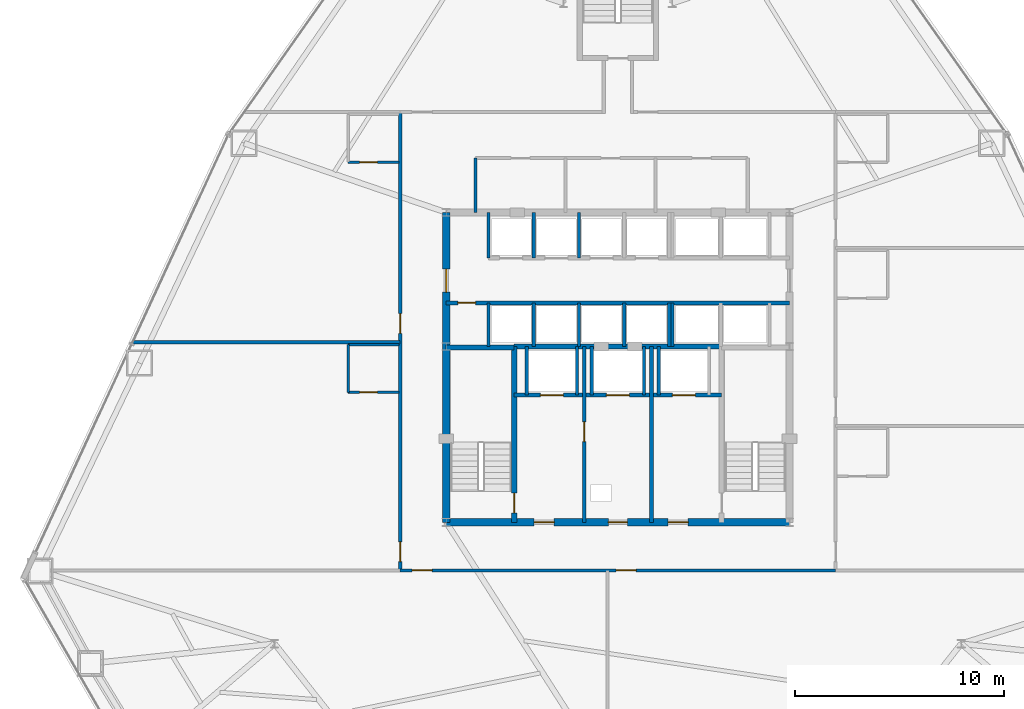
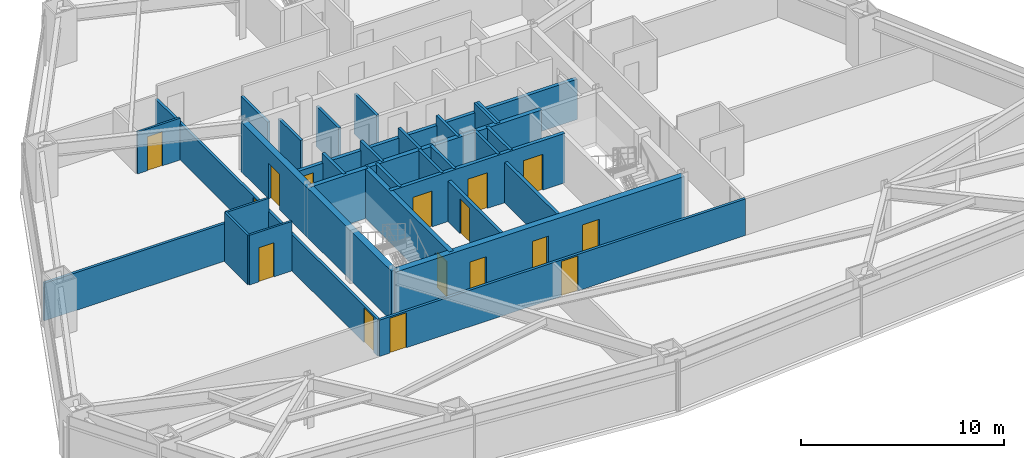
# One storey, part 9 of 12: 31 walls, 16 doors, 16 openings.
"""IFC4 building model written with IfcOpenShell, lengths in metres."""

from ifc_helpers import new_model, si_unit, direction, frame, frame_2d, origin, place, context, subcontext, project, spatial, rectangle, extrude, material, layer, layer_set, type_object, element, fill, save


model = new_model("IFC4")

# Units and contexts
model_context = context("Model", 3, precision=1e-05, world=origin(), true_north=direction((0.0, 1.0)))
body_context = subcontext(model_context, "Body", "Model", "MODEL_VIEW")
ifc_project = project(units=[si_unit("LENGTHUNIT", "METRE"), si_unit("AREAUNIT", "SQUARE_METRE"), si_unit("VOLUMEUNIT", "CUBIC_METRE"), si_unit("PLANEANGLEUNIT", "RADIAN"), si_unit("MASSUNIT", "GRAM", prefix="KILO")], contexts=[model_context])

# Site, building, storey
site_placement = place(None, origin())
site = spatial("IfcSite", under=ifc_project, at=site_placement, CompositionType="ELEMENT")
building_placement = place(site_placement, origin())
building = spatial("IfcBuilding", under=site, at=building_placement, Name="Varakhsha Concourse Tower", CompositionType="ELEMENT")
storey_placement = place(building_placement, frame((0.0, 0.0, 43.199951171875)))
storey = spatial("IfcBuildingStorey", under=building, at=storey_placement, Name="L11", CompositionType="ELEMENT", Elevation=43.199951171875)

# Wall, openings, doors
ifc_material_1 = material(Name="Concrete fc 65 MPa", Category="concrete")
ifc_layer_1 = layer(ifc_material_1, 0.35009765625, Name="WL-CORE-350")
ifc_layer_set_1 = layer_set([ifc_layer_1], Name="Concrete fc 65 MPa")
wall_type_1 = type_object("IfcWallType", Name="WL-CORE-350", PredefinedType="SHEAR", material=ifc_layer_set_1)
wall_1_placement = place(storey_placement, frame((31.800048828125, 16.39990234375, 0.0), z_axis=(0.0, 0.0, 1.0), x_axis=(1.0, 0.0, 0.0)))
wall_1 = element("IfcWall", 1, at=wall_1_placement, inside=storey, type_object=wall_type_1, Name="L11 Wall CWALL-S-L11", PredefinedType="SHEAR", context=body_context, shape_type="SweptSolid", body=[
    extrude(rectangle(XDim=16.39990234375, YDim=0.35009765625, at=frame_2d((8.199951171875, 0.0))), origin(), (0.0, 0.0, 1.0), 2.97998046875),
])
opening_1_placement = place(wall_1_placement, frame((7.75, 0.0, 0.0)))
opening_1 = element("IfcOpeningElement", 2, at=opening_1_placement, cuts=wall_1, Name="Opening DF-06", PredefinedType="OPENING", context=body_context, shape_type="SweptSolid", body=[
    extrude(rectangle(XDim=0.89990234375, YDim=2.10009765625, at=frame_2d((0.449951171875, 1.050048828125))), frame((0.0, 0.18505859375, 0.0), z_axis=(0.0, -1.0, 0.0), x_axis=(1.0, 0.0, 0.0)), (0.0, 0.0, 1.0), 0.3701171875),
])
opening_2_placement = place(wall_1_placement, frame((4.199951171875, 0.0, 0.0)))
opening_2 = element("IfcOpeningElement", 3, at=opening_2_placement, cuts=wall_1, Name="Opening DF-05", PredefinedType="OPENING", context=body_context, shape_type="SweptSolid", body=[
    extrude(rectangle(XDim=0.949951171875, YDim=2.10009765625, at=frame_2d((0.47509765625, 1.050048828125))), frame((0.0, 0.18505859375, 0.0), z_axis=(0.0, -1.0, 0.0), x_axis=(1.0, 0.0, 0.0)), (0.0, 0.0, 1.0), 0.3701171875),
])
opening_3_placement = place(wall_1_placement, frame((10.60009765625, 0.0, 0.0)))
opening_3 = element("IfcOpeningElement", 4, at=opening_3_placement, cuts=wall_1, Name="Opening DF-05", PredefinedType="OPENING", context=body_context, shape_type="SweptSolid", body=[
    extrude(rectangle(XDim=0.949951171875, YDim=2.10009765625, at=frame_2d((0.47509765625, 1.050048828125))), frame((0.0, 0.18505859375, 0.0), z_axis=(0.0, -1.0, 0.0), x_axis=(1.0, 0.0, 0.0)), (0.0, 0.0, 1.0), 0.3701171875),
])
ifc_material_2 = material(Name="Hollow Galvanised Steel Fire Door Assembly", Category="steel")
door_type_1 = type_object("IfcDoorType", Name="DR-FD60-900", OperationType="NOTDEFINED", PredefinedType="DOOR", material=ifc_material_2)
door_1_placement = place(opening_1_placement, origin())
door_1 = element("IfcDoor", 5, at=door_1_placement, inside=storey, type_object=door_type_1, Name="L11 Service Riser Vestibule Door", OperationType="SINGLE_SWING_LEFT", OverallHeight=2.10009765625, OverallWidth=0.89990234375, PredefinedType="DOOR", context=body_context, shape_type="SweptSolid", body=[
    extrude(rectangle(XDim=0.89990234375, YDim=2.10009765625, at=frame_2d((0.449951171875, 1.050048828125))), frame((0.0, 0.02490234375, 0.0), z_axis=(0.0, -1.0, 0.0), x_axis=(1.0, 0.0, 0.0)), (0.0, 0.0, 1.0), 0.050048828125),
])
fill(opening_1, door_1)
door_type_2 = type_object("IfcDoorType", Name="DR-FD60-950", OperationType="NOTDEFINED", PredefinedType="DOOR", material=ifc_material_2)
door_2_placement = place(opening_2_placement, origin())
door_2 = element("IfcDoor", 6, at=door_2_placement, inside=storey, type_object=door_type_2, Name="L11 Firefighting Lobby West Door", OperationType="SINGLE_SWING_RIGHT", OverallHeight=2.10009765625, OverallWidth=0.949951171875, PredefinedType="DOOR", context=body_context, shape_type="SweptSolid", body=[
    extrude(rectangle(XDim=0.949951171875, YDim=2.10009765625, at=frame_2d((0.47509765625, 1.050048828125))), frame((0.0, 0.02490234375, 0.0), z_axis=(0.0, -1.0, 0.0), x_axis=(1.0, 0.0, 0.0)), (0.0, 0.0, 1.0), 0.050048828125),
])
fill(opening_2, door_2)
door_3_placement = place(opening_3_placement, origin())
door_3 = element("IfcDoor", 7, at=door_3_placement, inside=storey, type_object=door_type_2, Name="L11 Firefighting Lobby East Door", OperationType="SINGLE_SWING_LEFT", OverallHeight=2.10009765625, OverallWidth=0.949951171875, PredefinedType="DOOR", context=body_context, shape_type="SweptSolid", body=[
    extrude(rectangle(XDim=0.949951171875, YDim=2.10009765625, at=frame_2d((0.47509765625, 1.050048828125))), frame((0.0, 0.02490234375, 0.0), z_axis=(0.0, -1.0, 0.0), x_axis=(1.0, 0.0, 0.0)), (0.0, 0.0, 1.0), 0.050048828125),
])
fill(opening_3, door_3)

# Wall, opening, door
wall_2_placement = place(storey_placement, frame((31.800048828125, 16.39990234375, 0.0), z_axis=(0.0, 0.0, 1.0), x_axis=(0.0, 1.0, 0.0)))
wall_2 = element("IfcWall", 8, at=wall_2_placement, inside=storey, type_object=wall_type_1, Name="L11 Wall CWALL-W-L11", PredefinedType="SHEAR", context=body_context, shape_type="SweptSolid", body=[
    extrude(rectangle(XDim=14.800048828125, YDim=0.35009765625, at=frame_2d((7.39990234375, 0.0))), origin(), (0.0, 0.0, 1.0), 2.97998046875),
])
opening_4_placement = place(wall_2_placement, frame((11.0, 0.0, 0.0)))
opening_4 = element("IfcOpeningElement", 9, at=opening_4_placement, cuts=wall_2, Name="Opening DL-01", PredefinedType="OPENING", context=body_context, shape_type="SweptSolid", body=[
    extrude(rectangle(XDim=1.10009765625, YDim=2.14990234375, at=frame_2d((0.550048828125, 1.074951171875))), frame((0.0, 0.18505859375, 0.0), z_axis=(0.0, -1.0, 0.0), x_axis=(1.0, 0.0, 0.0)), (0.0, 0.0, 1.0), 0.3701171875),
])
ifc_material_3 = material(Name="Anodised Bronze Architectural Aluminium AA 6063-T6", Category="aluminium")
door_type_3 = type_object("IfcDoorType", Name="DR-LOB-1100", OperationType="NOTDEFINED", PredefinedType="DOOR", material=ifc_material_3)
door_4_placement = place(opening_4_placement, origin())
door_4 = element("IfcDoor", 10, at=door_4_placement, inside=storey, type_object=door_type_3, Name="L11 Lift Lobby West Concourse Door", OperationType="SINGLE_SWING_LEFT", OverallHeight=2.14990234375, OverallWidth=1.10009765625, PredefinedType="DOOR", context=body_context, shape_type="SweptSolid", body=[
    extrude(rectangle(XDim=1.10009765625, YDim=2.14990234375, at=frame_2d((0.550048828125, 1.074951171875))), frame((0.0, 0.02490234375, 0.0), z_axis=(0.0, -1.0, 0.0), x_axis=(1.0, 0.0, 0.0)), (0.0, 0.0, 1.0), 0.050048828125),
])
fill(opening_4, door_4)

ifc_material_4 = material(Name="Fire-Rated Type X Gypsum Partition Assembly", Category="gypsum")
ifc_layer_2 = layer(ifc_material_4, 0.179931640625, Name="WL-FFLOB-180")
ifc_layer_set_2 = layer_set([ifc_layer_2], Name="Fire-Rated Type X Gypsum Partition Assembly")
wall_type_2 = type_object("IfcWallType", Name="WL-FFLOB-180", PredefinedType="PARTITIONING", material=ifc_layer_set_2)
wall_3_placement = place(storey_placement, frame((38.389892578125, 16.39990234375, 0.0), z_axis=(0.0, 0.0, 1.0), x_axis=(0.0, 1.0, 0.0)))
wall_3 = element("IfcWall", 11, at=wall_3_placement, inside=storey, type_object=wall_type_2, Name="L11 Wall FFW-1E-L11", PredefinedType="PARTITIONING", context=body_context, shape_type="SweptSolid", body=[
    extrude(rectangle(XDim=8.400146484375, YDim=0.179931640625, at=frame_2d((4.2001953125, 0.0))), origin(), (0.0, 0.0, 1.0), 2.43115234375),
])
opening_5_placement = place(wall_3_placement, frame((3.85009765625, 0.0, 0.0)))
opening_5 = element("IfcOpeningElement", 12, at=opening_5_placement, cuts=wall_3, Name="Opening DF-05", PredefinedType="OPENING", context=body_context, shape_type="SweptSolid", body=[
    extrude(rectangle(XDim=0.949951171875, YDim=2.10009765625, at=frame_2d((0.47509765625, 1.050048828125))), frame((0.0, 0.099853515625, 0.0), z_axis=(0.0, -1.0, 0.0), x_axis=(1.0, 0.0, 0.0)), (0.0, 0.0, 1.0), 0.199951171875),
])
door_5_placement = place(opening_5_placement, origin())
door_5 = element("IfcDoor", 13, at=door_5_placement, inside=storey, type_object=door_type_2, Name="L11 Service Vestibule Door", OperationType="SINGLE_SWING_RIGHT", OverallHeight=2.10009765625, OverallWidth=0.949951171875, PredefinedType="DOOR", context=body_context, shape_type="SweptSolid", body=[
    extrude(rectangle(XDim=0.949951171875, YDim=2.10009765625, at=frame_2d((0.47509765625, 1.050048828125))), frame((0.0, 0.02490234375, 0.0), z_axis=(0.0, -1.0, 0.0), x_axis=(1.0, 0.0, 0.0)), (0.0, 0.0, 1.0), 0.050048828125),
])
fill(opening_5, door_5)

# Walls
wall_4_placement = place(storey_placement, frame((41.610107421875, 16.39990234375, 0.0), z_axis=(0.0, 0.0, 1.0), x_axis=(0.0, 1.0, 0.0)))
element("IfcWall", 14, at=wall_4_placement, inside=storey, type_object=wall_type_2, Name="L11 Wall FFW-2W-L11", PredefinedType="PARTITIONING", context=body_context, shape_type="SweptSolid", body=[
    extrude(rectangle(XDim=8.400146484375, YDim=0.179931640625, at=frame_2d((4.2001953125, 0.0))), origin(), (0.0, 0.0, 1.0), 2.43115234375),
])
ifc_material_5 = material(Name="Acoustic Gypsum Board Partition Assembly", Category="gypsum")
ifc_layer_3 = layer(ifc_material_5, 0.1201171875, Name="WL-PART-120")
ifc_layer_set_3 = layer_set([ifc_layer_3], Name="Acoustic Gypsum Board Partition Assembly")
wall_type_3 = type_object("IfcWallType", Name="WL-PART-120", PredefinedType="PARTITIONING", material=ifc_layer_set_3)
wall_5_placement = place(storey_placement, frame((27.110107421875, 22.610107421875, 0.0), z_axis=(0.0, 0.0, 1.0), x_axis=(0.0, 1.0, 0.0)))
element("IfcWall", 15, at=wall_5_placement, inside=storey, type_object=wall_type_3, Name="L11 Wall ENSW-W-L11-H03", PredefinedType="PARTITIONING", context=body_context, shape_type="SweptSolid", body=[
    extrude(rectangle(XDim=2.27978515625, YDim=0.1201171875, at=frame_2d((1.139892578125, 0.0))), origin(), (0.0, 0.0, 1.0), 2.97998046875),
])

# Wall, opening, door
wall_6_placement = place(storey_placement, frame((27.110107421875, 22.610107421875, 0.0), z_axis=(0.0, 0.0, 1.0), x_axis=(1.0, 0.0, 0.0)))
wall_6 = element("IfcWall", 16, at=wall_6_placement, inside=storey, type_object=wall_type_3, Name="L11 Wall ENSW-S-L11-H03", PredefinedType="PARTITIONING", context=body_context, shape_type="SweptSolid", body=[
    extrude(rectangle(XDim=2.429931640625, YDim=0.1201171875, at=frame_2d((1.21484375, 0.0))), origin(), (0.0, 0.0, 1.0), 2.97998046875),
])
opening_6_placement = place(wall_6_placement, frame((0.550048828125, 0.0, 0.0)))
opening_6 = element("IfcOpeningElement", 17, at=opening_6_placement, cuts=wall_6, Name="Opening DI-01", PredefinedType="OPENING", context=body_context, shape_type="SweptSolid", body=[
    extrude(rectangle(XDim=0.85009765625, YDim=2.050048828125, at=frame_2d((0.425048828125, 1.02490234375))), frame((0.0, 0.070068359375, 0.0), z_axis=(0.0, -1.0, 0.0), x_axis=(1.0, 0.0, 0.0)), (0.0, 0.0, 1.0), 0.14013671875),
])
ifc_material_6 = material(Name="Architectural Walnut Acoustic Timber Door", Category="wood")
door_type_4 = type_object("IfcDoorType", Name="DR-INT-850", OperationType="NOTDEFINED", PredefinedType="DOOR", material=ifc_material_6)
door_6_placement = place(opening_6_placement, origin())
door_6 = element("IfcDoor", 18, at=door_6_placement, inside=storey, type_object=door_type_4, Name="L11 En-suite Bathroom Door L11-H03", OperationType="SINGLE_SWING_RIGHT", OverallHeight=2.050048828125, OverallWidth=0.85009765625, PredefinedType="DOOR", context=body_context, shape_type="SweptSolid", body=[
    extrude(rectangle(XDim=0.85009765625, YDim=2.050048828125, at=frame_2d((0.425048828125, 1.02490234375))), frame((0.0, 0.02490234375, 0.0), z_axis=(0.0, -1.0, 0.0), x_axis=(1.0, 0.0, 0.0)), (0.0, 0.0, 1.0), 0.050048828125),
])
fill(opening_6, door_6)

# Wall
wall_7_placement = place(storey_placement, frame((27.110107421875, 24.889892578125, 0.0), z_axis=(0.0, 0.0, 1.0), x_axis=(1.0, 0.0, 0.0)))
element("IfcWall", 19, at=wall_7_placement, inside=storey, type_object=wall_type_3, Name="L11 Wall ENSW-N-L11-H03", PredefinedType="PARTITIONING", context=body_context, shape_type="SweptSolid", body=[
    extrude(rectangle(XDim=2.429931640625, YDim=0.1201171875, at=frame_2d((1.21484375, 0.0))), origin(), (0.0, 0.0, 1.0), 2.97998046875),
])

# Wall, opening, door
wall_8_placement = place(storey_placement, frame((27.110107421875, 33.610107421875, 0.0), z_axis=(0.0, 0.0, 1.0), x_axis=(1.0, 0.0, 0.0)))
wall_8 = element("IfcWall", 20, at=wall_8_placement, inside=storey, type_object=wall_type_3, Name="L11 Wall ENSW-S-L11-H04", PredefinedType="PARTITIONING", context=body_context, shape_type="SweptSolid", body=[
    extrude(rectangle(XDim=2.429931640625, YDim=0.1201171875, at=frame_2d((1.21484375, 0.0))), origin(), (0.0, 0.0, 1.0), 2.512939453125),
])
opening_7_placement = place(wall_8_placement, frame((0.550048828125, 0.0, 0.0)))
opening_7 = element("IfcOpeningElement", 21, at=opening_7_placement, cuts=wall_8, Name="Opening DI-01", PredefinedType="OPENING", context=body_context, shape_type="SweptSolid", body=[
    extrude(rectangle(XDim=0.85009765625, YDim=2.050048828125, at=frame_2d((0.425048828125, 1.02490234375))), frame((0.0, 0.070068359375, 0.0), z_axis=(0.0, -1.0, 0.0), x_axis=(1.0, 0.0, 0.0)), (0.0, 0.0, 1.0), 0.14013671875),
])
door_7_placement = place(opening_7_placement, origin())
door_7 = element("IfcDoor", 22, at=door_7_placement, inside=storey, type_object=door_type_4, Name="L11 En-suite Bathroom Door L11-H04", OperationType="SINGLE_SWING_RIGHT", OverallHeight=2.050048828125, OverallWidth=0.85009765625, PredefinedType="DOOR", context=body_context, shape_type="SweptSolid", body=[
    extrude(rectangle(XDim=0.85009765625, YDim=2.050048828125, at=frame_2d((0.425048828125, 1.02490234375))), frame((0.0, 0.02490234375, 0.0), z_axis=(0.0, -1.0, 0.0), x_axis=(1.0, 0.0, 0.0)), (0.0, 0.0, 1.0), 0.050048828125),
])
fill(opening_7, door_7)

# Wall
ifc_layer_4 = layer(ifc_material_4, 0.14990234375, Name="WL-PART-150")
ifc_layer_set_4 = layer_set([ifc_layer_4], Name="Fire-Rated Type X Gypsum Partition Assembly")
wall_type_4 = type_object("IfcWallType", Name="WL-PART-150", PredefinedType="PARTITIONING", material=ifc_layer_set_4)
wall_9_placement = place(storey_placement, frame((33.199951171875, 31.199951171875, 0.0), z_axis=(0.0, 0.0, 1.0), x_axis=(0.0, 1.0, 0.0)))
element("IfcWall", 23, at=wall_9_placement, inside=storey, type_object=wall_type_4, Name="L11 Wall NBOH-W-L11", PredefinedType="PARTITIONING", context=body_context, shape_type="SweptSolid", body=[
    extrude(rectangle(XDim=2.60009765625, YDim=0.14990234375, at=frame_2d((1.300048828125, 0.0))), origin(), (0.0, 0.0, 1.0), 2.43115234375),
])

# Wall, openings, doors
wall_10_placement = place(storey_placement, frame((29.60009765625, 14.10009765625, 0.0), z_axis=(0.0, 0.0, 1.0), x_axis=(1.0, 0.0, 0.0)))
wall_10 = element("IfcWall", 24, at=wall_10_placement, inside=storey, type_object=wall_type_4, Name="L11 Wall CRW-S-L11", PredefinedType="PARTITIONING", context=body_context, shape_type="SweptSolid", body=[
    extrude(rectangle(XDim=20.7998046875, YDim=0.14990234375, at=frame_2d((10.39990234375, 0.0))), origin(), (0.0, 0.0, 1.0), 2.191162109375),
])
opening_8_placement = place(wall_10_placement, frame((0.570068359375, 0.0, 0.0)))
opening_8 = element("IfcOpeningElement", 25, at=opening_8_placement, cuts=wall_10, Name="Opening DF-05", PredefinedType="OPENING", context=body_context, shape_type="SweptSolid", body=[
    extrude(rectangle(XDim=0.949951171875, YDim=2.10009765625, at=frame_2d((0.47509765625, 1.050048828125))), frame((0.0, 0.0849609375, 0.0), z_axis=(0.0, -1.0, 0.0), x_axis=(1.0, 0.0, 0.0)), (0.0, 0.0, 1.0), 0.169921875),
])
opening_9_placement = place(wall_10_placement, frame((10.320068359375, 0.0, 0.0)))
opening_9 = element("IfcOpeningElement", 26, at=opening_9_placement, cuts=wall_10, Name="Opening DF-05", PredefinedType="OPENING", context=body_context, shape_type="SweptSolid", body=[
    extrude(rectangle(XDim=0.949951171875, YDim=2.10009765625, at=frame_2d((0.47509765625, 1.050048828125))), frame((0.0, 0.0849609375, 0.0), z_axis=(0.0, -1.0, 0.0), x_axis=(1.0, 0.0, 0.0)), (0.0, 0.0, 1.0), 0.169921875),
])
door_8_placement = place(opening_8_placement, origin())
door_8 = element("IfcDoor", 27, at=door_8_placement, inside=storey, type_object=door_type_2, Name="L11 Hotel Executive Salon L11-H01 Door", OperationType="SINGLE_SWING_LEFT", OverallHeight=2.10009765625, OverallWidth=0.949951171875, PredefinedType="DOOR", context=body_context, shape_type="SweptSolid", body=[
    extrude(rectangle(XDim=0.949951171875, YDim=2.10009765625, at=frame_2d((0.47509765625, 1.050048828125))), frame((0.0, 0.02490234375, 0.0), z_axis=(0.0, -1.0, 0.0), x_axis=(1.0, 0.0, 0.0)), (0.0, 0.0, 1.0), 0.050048828125),
])
fill(opening_8, door_8)
door_9_placement = place(opening_9_placement, origin())
door_9 = element("IfcDoor", 28, at=door_9_placement, inside=storey, type_object=door_type_2, Name="L11 Hotel Spa and Wellness Salon L11-H02 Door", OperationType="SINGLE_SWING_RIGHT", OverallHeight=2.10009765625, OverallWidth=0.949951171875, PredefinedType="DOOR", context=body_context, shape_type="SweptSolid", body=[
    extrude(rectangle(XDim=0.949951171875, YDim=2.10009765625, at=frame_2d((0.47509765625, 1.050048828125))), frame((0.0, 0.02490234375, 0.0), z_axis=(0.0, -1.0, 0.0), x_axis=(1.0, 0.0, 0.0)), (0.0, 0.0, 1.0), 0.050048828125),
])
fill(opening_9, door_9)

wall_11_placement = place(storey_placement, frame((29.60009765625, 14.10009765625, 0.0), z_axis=(0.0, 0.0, 1.0), x_axis=(0.0, 1.0, 0.0)))
wall_11 = element("IfcWall", 29, at=wall_11_placement, inside=storey, type_object=wall_type_4, Name="L11 Wall CRW-W-L11", PredefinedType="PARTITIONING", context=body_context, shape_type="SweptSolid", body=[
    extrude(rectangle(XDim=21.89990234375, YDim=0.14990234375, at=frame_2d((10.949951171875, 0.0))), origin(), (0.0, 0.0, 1.0), 2.191162109375),
])
opening_10_placement = place(wall_11_placement, frame((0.419921875, 0.0, 0.0)))
opening_10 = element("IfcOpeningElement", 30, at=opening_10_placement, cuts=wall_11, Name="Opening DF-05", PredefinedType="OPENING", context=body_context, shape_type="SweptSolid", body=[
    extrude(rectangle(XDim=0.949951171875, YDim=2.10009765625, at=frame_2d((0.47509765625, 1.050048828125))), frame((0.0, 0.0849609375, 0.0), z_axis=(0.0, -1.0, 0.0), x_axis=(1.0, 0.0, 0.0)), (0.0, 0.0, 1.0), 0.169921875),
])
opening_11_placement = place(wall_11_placement, frame((11.320068359375, 0.0, 0.0)))
opening_11 = element("IfcOpeningElement", 31, at=opening_11_placement, cuts=wall_11, Name="Opening DF-05", PredefinedType="OPENING", context=body_context, shape_type="SweptSolid", body=[
    extrude(rectangle(XDim=0.949951171875, YDim=2.10009765625, at=frame_2d((0.47509765625, 1.050048828125))), frame((0.0, 0.0849609375, 0.0), z_axis=(0.0, -1.0, 0.0), x_axis=(1.0, 0.0, 0.0)), (0.0, 0.0, 1.0), 0.169921875),
])
door_10_placement = place(opening_10_placement, origin())
door_10 = element("IfcDoor", 32, at=door_10_placement, inside=storey, type_object=door_type_2, Name="L11 Hotel Corner Suite L11-H03 Entry Door", OperationType="SINGLE_SWING_LEFT", OverallHeight=2.10009765625, OverallWidth=0.949951171875, PredefinedType="DOOR", context=body_context, shape_type="SweptSolid", body=[
    extrude(rectangle(XDim=0.949951171875, YDim=2.10009765625, at=frame_2d((0.47509765625, 1.050048828125))), frame((0.0, 0.02490234375, 0.0), z_axis=(0.0, -1.0, 0.0), x_axis=(1.0, 0.0, 0.0)), (0.0, 0.0, 1.0), 0.050048828125),
])
fill(opening_10, door_10)
door_11_placement = place(opening_11_placement, origin())
door_11 = element("IfcDoor", 33, at=door_11_placement, inside=storey, type_object=door_type_2, Name="L11 Hotel Corner Suite L11-H04 Entry Door", OperationType="SINGLE_SWING_RIGHT", OverallHeight=2.10009765625, OverallWidth=0.949951171875, PredefinedType="DOOR", context=body_context, shape_type="SweptSolid", body=[
    extrude(rectangle(XDim=0.949951171875, YDim=2.10009765625, at=frame_2d((0.47509765625, 1.050048828125))), frame((0.0, 0.02490234375, 0.0), z_axis=(0.0, -1.0, 0.0), x_axis=(1.0, 0.0, 0.0)), (0.0, 0.0, 1.0), 0.050048828125),
])
fill(opening_11, door_11)

# Wall
wall_12_placement = place(storey_placement, frame((16.8251953125, 25.0, 0.0), z_axis=(0.0, 0.0, 1.0), x_axis=(1.0, 0.0, 0.0)))
element("IfcWall", 34, at=wall_12_placement, inside=storey, type_object=wall_type_4, Name="L11 Wall HDIV-W1-L11", PredefinedType="PARTITIONING", context=body_context, shape_type="SweptSolid", body=[
    extrude(rectangle(XDim=12.77490234375, YDim=0.14990234375, at=frame_2d((6.387451171875, 0.0))), origin(), (0.0, 0.0, 1.0), 2.26806640625),
])

# Wall, openings, doors
ifc_layer_5 = layer(ifc_material_4, 0.199951171875, Name="WL-SHAFT-220")
ifc_layer_set_5 = layer_set([ifc_layer_5], Name="Fire-Rated Type X Gypsum Partition Assembly")
wall_type_5 = type_object("IfcWallType", Name="WL-SHAFT-220", PredefinedType="SOLIDWALL", material=ifc_layer_set_5)
wall_13_placement = place(storey_placement, frame((35.044921875, 22.47998046875, 0.0), z_axis=(0.0, 0.0, 1.0), x_axis=(1.0, 0.0, 0.0)))
wall_13 = element("IfcWall", 35, at=wall_13_placement, inside=storey, type_object=wall_type_5, Name="L11 Wall FFW-NH-L11", PredefinedType="SOLIDWALL", context=body_context, shape_type="SweptSolid", body=[
    extrude(rectangle(XDim=9.91015625, YDim=0.199951171875, at=frame_2d((4.955078125, 0.0))), origin(), (0.0, 0.0, 1.0), 2.97998046875),
])
opening_12_placement = place(wall_13_placement, frame((1.2548828125, 0.0, 0.0)))
opening_12 = element("IfcOpeningElement", 36, at=opening_12_placement, cuts=wall_13, Name="Opening LD-FFL-1", PredefinedType="OPENING", context=body_context, shape_type="SweptSolid", body=[
    extrude(rectangle(XDim=1.10009765625, YDim=2.14990234375, at=frame_2d((0.550048828125, 1.074951171875))), frame((0.0, 0.10986328125, 0.0), z_axis=(0.0, -1.0, 0.0), x_axis=(1.0, 0.0, 0.0)), (0.0, 0.0, 1.0), 0.219970703125),
])
opening_13_placement = place(wall_13_placement, frame((7.554931640625, 0.0, 0.0)))
opening_13 = element("IfcOpeningElement", 37, at=opening_13_placement, cuts=wall_13, Name="Opening LD-FFL-2", PredefinedType="OPENING", context=body_context, shape_type="SweptSolid", body=[
    extrude(rectangle(XDim=1.10009765625, YDim=2.14990234375, at=frame_2d((0.550048828125, 1.074951171875))), frame((0.0, 0.10986328125, 0.0), z_axis=(0.0, -1.0, 0.0), x_axis=(1.0, 0.0, 0.0)), (0.0, 0.0, 1.0), 0.219970703125),
])
opening_14_placement = place(wall_13_placement, frame((4.405029296875, 0.0, 0.0)))
opening_14 = element("IfcOpeningElement", 38, at=opening_14_placement, cuts=wall_13, Name="Opening LD-SVL-1", PredefinedType="OPENING", context=body_context, shape_type="SweptSolid", body=[
    extrude(rectangle(XDim=1.10009765625, YDim=2.14990234375, at=frame_2d((0.550048828125, 1.074951171875))), frame((0.0, 0.10986328125, 0.0), z_axis=(0.0, -1.0, 0.0), x_axis=(1.0, 0.0, 0.0)), (0.0, 0.0, 1.0), 0.219970703125),
])
ifc_material_7 = material(Name="Brushed Austenitic Stainless Steel AISI 316", Category="steel")
door_type_5 = type_object("IfcDoorType", Name="DR-LD-1100", OperationType="DOUBLE_DOOR_SLIDING", PredefinedType="DOOR", material=ifc_material_7)
door_12_placement = place(opening_12_placement, origin())
door_12 = element("IfcDoor", 39, at=door_12_placement, inside=storey, type_object=door_type_5, Name="Lift Landing Door FFL-1 L11", OperationType="DOUBLE_DOOR_SLIDING", OverallHeight=2.14990234375, OverallWidth=1.10009765625, PredefinedType="DOOR", context=body_context, shape_type="SweptSolid", body=[
    extrude(rectangle(XDim=1.10009765625, YDim=2.14990234375, at=frame_2d((0.550048828125, 1.074951171875))), frame((0.0, 0.02490234375, 0.0), z_axis=(0.0, -1.0, 0.0), x_axis=(1.0, 0.0, 0.0)), (0.0, 0.0, 1.0), 0.050048828125),
])
fill(opening_12, door_12)
door_13_placement = place(opening_13_placement, origin())
door_13 = element("IfcDoor", 40, at=door_13_placement, inside=storey, type_object=door_type_5, Name="Lift Landing Door FFL-2 L11", OperationType="DOUBLE_DOOR_SLIDING", OverallHeight=2.14990234375, OverallWidth=1.10009765625, PredefinedType="DOOR", context=body_context, shape_type="SweptSolid", body=[
    extrude(rectangle(XDim=1.10009765625, YDim=2.14990234375, at=frame_2d((0.550048828125, 1.074951171875))), frame((0.0, 0.02490234375, 0.0), z_axis=(0.0, -1.0, 0.0), x_axis=(1.0, 0.0, 0.0)), (0.0, 0.0, 1.0), 0.050048828125),
])
fill(opening_13, door_13)
door_14_placement = place(opening_14_placement, origin())
door_14 = element("IfcDoor", 41, at=door_14_placement, inside=storey, type_object=door_type_5, Name="Lift Landing Door SVL-1 L11", OperationType="DOUBLE_DOOR_SLIDING", OverallHeight=2.14990234375, OverallWidth=1.10009765625, PredefinedType="DOOR", context=body_context, shape_type="SweptSolid", body=[
    extrude(rectangle(XDim=1.10009765625, YDim=2.14990234375, at=frame_2d((0.550048828125, 1.074951171875))), frame((0.0, 0.02490234375, 0.0), z_axis=(0.0, -1.0, 0.0), x_axis=(1.0, 0.0, 0.0)), (0.0, 0.0, 1.0), 0.050048828125),
])
fill(opening_14, door_14)

# Walls
for number, where, z_axis, x_axis, name in (
    (42, (35.64990234375, 22.47998046875, 0.0), (0.0, 0.0, 1.0), (0.0, 1.0, 0.0), "L11 Wall SHW-FFL-1-W-L11"),
    (43, (38.050048828125, 22.47998046875, 0.0), (0.0, 0.0, 1.0), (0.0, 1.0, 0.0), "L11 Wall SHW-FFL-1-E-L11"),
    (44, (41.949951171875, 22.47998046875, 0.0), (0.0, 0.0, 1.0), (0.0, 1.0, 0.0), "L11 Wall SHW-FFL-2-W-L11"),
    (45, (38.75, 22.47998046875, 0.0), (0.0, 0.0, 1.0), (0.0, 1.0, 0.0), "L11 Wall SHW-SVL-1-W-L11"),
    (46, (41.25, 22.47998046875, 0.0), (0.0, 0.0, 1.0), (0.0, 1.0, 0.0), "L11 Wall SHW-SVL-1-E-L11"),
):
    element("IfcWall", number, at=place(storey_placement, frame(where, z_axis=z_axis, x_axis=x_axis)), inside=storey, type_object=wall_type_5, Name=name, PredefinedType="SOLIDWALL", context=body_context, shape_type="SweptSolid", body=[
        extrude(rectangle(XDim=2.320068359375, YDim=0.159912109375, at=frame_2d((1.16015625, 0.0))), origin(), (0.0, 0.0, 1.0), 2.97998046875),
    ])

# Wall, opening, door
wall_14_placement = place(storey_placement, frame((31.800048828125, 26.8798828125, 0.0), z_axis=(0.0, 0.0, 1.0), x_axis=(1.0, 0.0, 0.0)))
wall_14 = element("IfcWall", 47, at=wall_14_placement, inside=storey, type_object=wall_type_5, Name="L11 Wall PLW-S-L11", PredefinedType="SOLIDWALL", context=body_context, shape_type="SweptSolid", body=[
    extrude(rectangle(XDim=16.39990234375, YDim=0.199951171875, at=frame_2d((8.199951171875, 0.0))), origin(), (0.0, 0.0, 1.0), 2.43115234375),
])
opening_15_placement = place(wall_14_placement, frame((0.550048828125, 0.0, 0.0)))
opening_15 = element("IfcOpeningElement", 48, at=opening_15_placement, cuts=wall_14, Name="Opening DF-07", PredefinedType="OPENING", context=body_context, shape_type="SweptSolid", body=[
    extrude(rectangle(XDim=0.85009765625, YDim=2.050048828125, at=frame_2d((0.425048828125, 1.02490234375))), frame((0.0, 0.10986328125, 0.0), z_axis=(0.0, -1.0, 0.0), x_axis=(1.0, 0.0, 0.0)), (0.0, 0.0, 1.0), 0.219970703125),
])
door_type_6 = type_object("IfcDoorType", Name="DR-FD60-850", OperationType="NOTDEFINED", PredefinedType="DOOR", material=ifc_material_2)
door_15_placement = place(opening_15_placement, origin())
door_15 = element("IfcDoor", 49, at=door_15_placement, inside=storey, type_object=door_type_6, Name="L11 Core Telecoms Closet Door", OperationType="SINGLE_SWING_RIGHT", OverallHeight=2.050048828125, OverallWidth=0.85009765625, PredefinedType="DOOR", context=body_context, shape_type="SweptSolid", body=[
    extrude(rectangle(XDim=0.85009765625, YDim=2.050048828125, at=frame_2d((0.425048828125, 1.02490234375))), frame((0.0, 0.02490234375, 0.0), z_axis=(0.0, -1.0, 0.0), x_axis=(1.0, 0.0, 0.0)), (0.0, 0.0, 1.0), 0.050048828125),
])
fill(opening_15, door_15)

# Walls
wall_15_placement = place(storey_placement, frame((33.820068359375, 29.02001953125, 0.0), z_axis=(0.0, 0.0, 1.0), x_axis=(0.0, 1.0, 0.0)))
element("IfcWall", 50, at=wall_15_placement, inside=storey, type_object=wall_type_5, Name="L11 Wall WBOH-E1-L11", PredefinedType="SOLIDWALL", context=body_context, shape_type="SweptSolid", body=[
    extrude(rectangle(XDim=2.179931640625, YDim=0.159912109375, at=frame_2d((1.08984375, 0.0))), origin(), (0.0, 0.0, 1.0), 2.43115234375),
])
wall_16_placement = place(storey_placement, frame((33.820068359375, 24.800048828125, 0.0), z_axis=(0.0, 0.0, 1.0), x_axis=(0.0, 1.0, 0.0)))
element("IfcWall", 51, at=wall_16_placement, inside=storey, type_object=wall_type_5, Name="L11 Wall WBOH-E2-L11", PredefinedType="SOLIDWALL", context=body_context, shape_type="SweptSolid", body=[
    extrude(rectangle(XDim=2.079833984375, YDim=0.159912109375, at=frame_2d((1.0400390625, 0.0))), origin(), (0.0, 0.0, 1.0), 2.97998046875),
])
for number, where, z_axis, x_axis, name in (
    (52, (35.97998046875, 29.02001953125, 0.0), (0.0, 0.0, 1.0), (0.0, 1.0, 0.0), "L11 Wall SHW-LF-P01-E-L11"),
    (53, (38.139892578125, 29.02001953125, 0.0), (0.0, 0.0, 1.0), (0.0, 1.0, 0.0), "L11 Wall SHW-LF-P02-E-L11"),
):
    element("IfcWall", number, at=place(storey_placement, frame(where, z_axis=z_axis, x_axis=x_axis)), inside=storey, type_object=wall_type_5, Name=name, PredefinedType="SOLIDWALL", context=body_context, shape_type="SweptSolid", body=[
        extrude(rectangle(XDim=2.179931640625, YDim=0.159912109375, at=frame_2d((1.08984375, 0.0))), origin(), (0.0, 0.0, 1.0), 2.43115234375),
    ])
for number, where, z_axis, x_axis, name in (
    (54, (35.97998046875, 24.800048828125, 0.0), (0.0, 0.0, 1.0), (0.0, 1.0, 0.0), "L11 Wall SHW-LF-P05-E-L11"),
    (55, (38.139892578125, 24.800048828125, 0.0), (0.0, 0.0, 1.0), (0.0, 1.0, 0.0), "L11 Wall SHW-LF-P06-E-L11"),
    (56, (40.300048828125, 24.800048828125, 0.0), (0.0, 0.0, 1.0), (0.0, 1.0, 0.0), "L11 Wall SHW-LF-P07-E-L11"),
    (57, (42.4599609375, 24.800048828125, 0.0), (0.0, 0.0, 1.0), (0.0, 1.0, 0.0), "L11 Wall SHW-LF-P08-E-L11"),
    (58, (42.60009765625, 24.800048828125, 0.0), (0.0, 0.0, 1.0), (0.0, 1.0, 0.0), "L11 Wall SHW-LF-P11-W-L11"),
):
    element("IfcWall", number, at=place(storey_placement, frame(where, z_axis=z_axis, x_axis=x_axis)), inside=storey, type_object=wall_type_5, Name=name, PredefinedType="SOLIDWALL", context=body_context, shape_type="SweptSolid", body=[
        extrude(rectangle(XDim=2.079833984375, YDim=0.159912109375, at=frame_2d((1.0400390625, 0.0))), origin(), (0.0, 0.0, 1.0), 2.97998046875),
    ])

# Wall, opening, door
ifc_material_8 = material(Name="Concrete fc 45 MPa", Category="concrete")
ifc_layer_6 = layer(ifc_material_8, 0.25, Name="WL-STAIR-250")
ifc_layer_set_6 = layer_set([ifc_layer_6], Name="Concrete fc 45 MPa")
wall_type_6 = type_object("IfcWallType", Name="WL-STAIR-250", PredefinedType="SHEAR", material=ifc_layer_set_6)
wall_17_placement = place(storey_placement, frame((35.044921875, 16.39990234375, 0.0), z_axis=(0.0, 0.0, 1.0), x_axis=(0.0, 1.0, 0.0)))
wall_17 = element("IfcWall", 59, at=wall_17_placement, inside=storey, type_object=wall_type_6, Name="L11 Wall SWALL-ST1-E-L11", PredefinedType="SHEAR", context=body_context, shape_type="SweptSolid", body=[
    extrude(rectangle(XDim=8.400146484375, YDim=0.25, at=frame_2d((4.2001953125, 0.0))), origin(), (0.0, 0.0, 1.0), 2.97998046875),
])
opening_16_placement = place(wall_17_placement, frame((0.449951171875, 0.0, 0.0)))
opening_16 = element("IfcOpeningElement", 60, at=opening_16_placement, cuts=wall_17, Name="Opening DF-03", PredefinedType="OPENING", context=body_context, shape_type="SweptSolid", body=[
    extrude(rectangle(XDim=0.949951171875, YDim=2.10009765625, at=frame_2d((0.47509765625, 1.050048828125))), frame((0.0, 0.135009765625, 0.0), z_axis=(0.0, -1.0, 0.0), x_axis=(1.0, 0.0, 0.0)), (0.0, 0.0, 1.0), 0.27001953125),
])
door_type_7 = type_object("IfcDoorType", Name="DR-FD90-950", OperationType="NOTDEFINED", PredefinedType="DOOR", material=ifc_material_2)
door_16_placement = place(opening_16_placement, origin())
door_16 = element("IfcDoor", 61, at=door_16_placement, inside=storey, type_object=door_type_7, Name="L11 Stair ST1 Fire Door", OperationType="SINGLE_SWING_LEFT", OverallHeight=2.10009765625, OverallWidth=0.949951171875, PredefinedType="DOOR", context=body_context, shape_type="SweptSolid", body=[
    extrude(rectangle(XDim=0.949951171875, YDim=2.10009765625, at=frame_2d((0.47509765625, 1.050048828125))), frame((0.0, 0.02490234375, 0.0), z_axis=(0.0, -1.0, 0.0), x_axis=(1.0, 0.0, 0.0)), (0.0, 0.0, 1.0), 0.050048828125),
])
fill(opening_16, door_16)

# Walls
wall_18_placement = place(storey_placement, frame((31.800048828125, 24.7548828125, 0.0), z_axis=(0.0, 0.0, 1.0), x_axis=(1.0, 0.0, 0.0)))
element("IfcWall", 62, at=wall_18_placement, inside=storey, type_object=wall_type_6, Name="L11 Wall SWALL-ST1-N-L11", PredefinedType="SHEAR", context=body_context, shape_type="SweptSolid", body=[
    extrude(rectangle(XDim=3.244873046875, YDim=0.25, at=frame_2d((1.62255859375, 0.0))), origin(), (0.0, 0.0, 1.0), 2.97998046875),
])
wall_19_placement = place(storey_placement, frame((35.044921875, 24.800048828125, 0.0), z_axis=(0.0, 0.0, 1.0), x_axis=(1.0, 0.0, 0.0)))
element("IfcWall", 63, at=wall_19_placement, inside=storey, type_object=wall_type_6, Name="L11 Wall SWALL-MID-H-L11", PredefinedType="SHEAR", context=body_context, shape_type="SweptSolid", body=[
    extrude(rectangle(XDim=9.91015625, YDim=0.25, at=frame_2d((4.955078125, 0.0))), origin(), (0.0, 0.0, 1.0), 2.97998046875),
])

save(model, "model.ifc")
